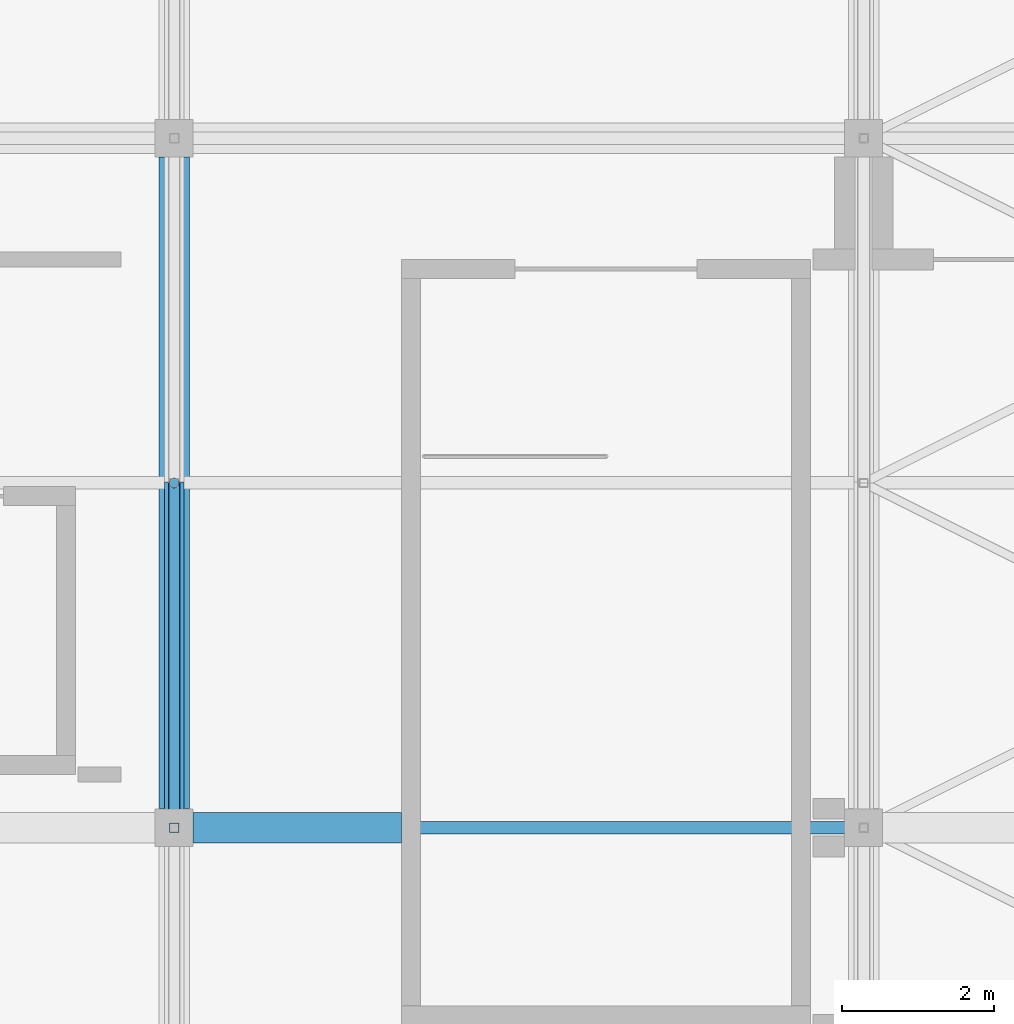
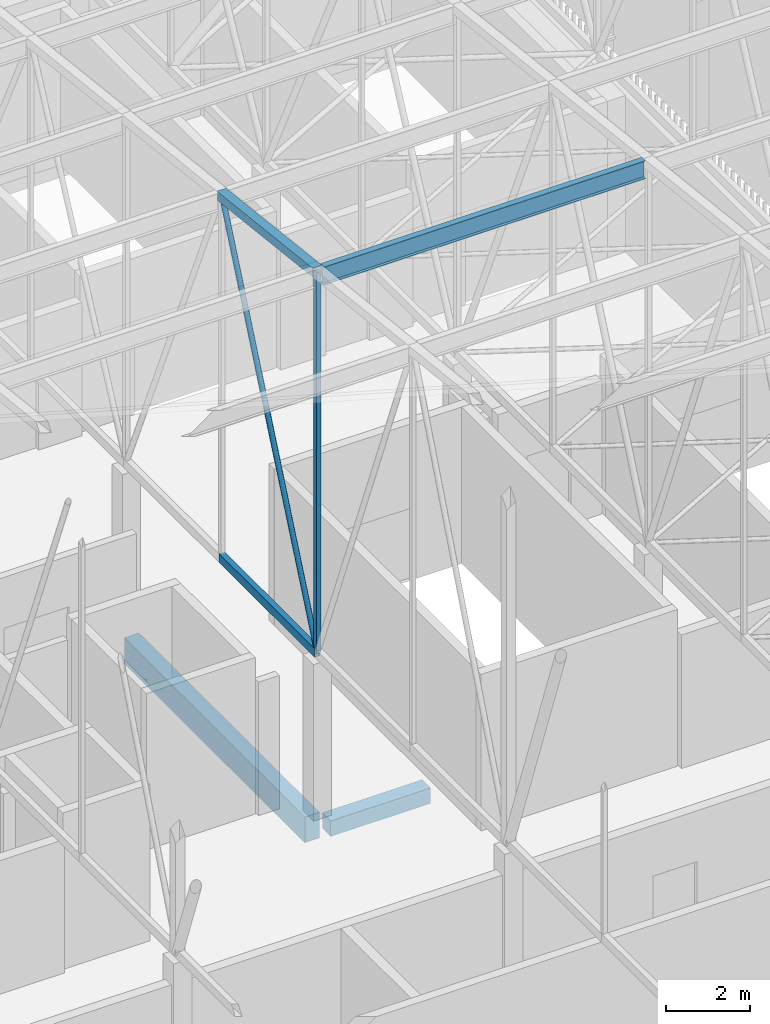
# One storey, part 382 of 500: 5 members, 2 beams.
"""IFC4 building model written with IfcOpenShell, lengths in metres."""

from ifc_helpers import new_model, si_unit, direction, frame, origin, origin_2d, place, context, subcontext, project, spatial, rectangle, hollow_rectangle, hollow_circle, i_section, extrude, material, material_profile, profile_set, type_object, element, save


model = new_model("IFC4")

# Units and contexts
model_context = context("Model", 3, precision=1e-05, world=origin(), true_north=direction((0.0, 1.0)))
body_context = subcontext(model_context, "Body", "Model", "MODEL_VIEW")
ifc_project = project(units=[si_unit("LENGTHUNIT", "METRE"), si_unit("AREAUNIT", "SQUARE_METRE"), si_unit("VOLUMEUNIT", "CUBIC_METRE"), si_unit("PLANEANGLEUNIT", "RADIAN"), si_unit("MASSUNIT", "GRAM", prefix="KILO")], contexts=[model_context])

# Site, building, storey
site_placement = place(None, origin())
site = spatial("IfcSite", under=ifc_project, at=site_placement, CompositionType="ELEMENT")
building_placement = place(site_placement, origin())
building = spatial("IfcBuilding", under=site, at=building_placement, Name="Shirokan Park Arena", CompositionType="ELEMENT")
storey_placement = place(building_placement, frame((0.0, 0.0, 29.1201171875)))
storey = spatial("IfcBuildingStorey", under=building, at=storey_placement, Name="L06", CompositionType="ELEMENT", Elevation=29.1201171875)

# Members
ifc_material_1 = material(Name="Steel ASTM A500 Grade C", Category="steel")
ifc_material_profile_1 = material_profile(ifc_material_1, hollow_rectangle(XDim=0.152099609375, YDim=0.25390625, WallThickness=0.009521484375, at=origin_2d()), Name="HSS254X152.4X9.5")
ifc_profile_set_1 = profile_set([ifc_material_profile_1], Name="Steel ASTM A500 Grade C")
member_type_1 = type_object("IfcMemberType", Name="Bottom chord HSS254X152.4X9.5", PredefinedType="CHORD", material=ifc_profile_set_1)
member_1_placement = place(storey_placement, frame((127.39990234375, 81.89990234375, 4.677001953125), z_axis=(0.0, 1.0, 0.0), x_axis=(-1.0, 0.0, 0.0)))
element("IfcMember", 1, at=member_1_placement, inside=storey, type_object=member_type_1, Name="Truss T15 bottom chord 21", PredefinedType="CHORD", context=body_context, shape_type="SweptSolid", body=[
    extrude(hollow_rectangle(XDim=0.152099609375, YDim=0.25390625, WallThickness=0.009521484375, at=origin_2d()), origin(), (0.0, 0.0, 1.0), 4.550048828125),
])
ifc_material_2 = material(Name="Steel ASTM A992", Category="steel")
ifc_material_profile_2 = material_profile(ifc_material_2, i_section(OverallWidth=0.166015625, OverallDepth=0.528076171875, WebThickness=0.009765625, FlangeThickness=0.013671875, at=origin_2d()), Name="W530X74")
ifc_profile_set_2 = profile_set([ifc_material_profile_2], Name="Steel ASTM A992")
member_type_2 = type_object("IfcMemberType", Name="Purlin W530X74", PredefinedType="PURLIN", material=ifc_profile_set_2)
member_2_placement = place(storey_placement, frame((127.527099609375, 81.89990234375, 15.60595703125), z_axis=(1.0, 0.0, 0.0), x_axis=(0.0, 1.0, 0.0)))
element("IfcMember", 2, at=member_2_placement, inside=storey, type_object=member_type_2, Name="Purlin 21 bay 15", PredefinedType="PURLIN", context=body_context, shape_type="SweptSolid", body=[
    extrude(i_section(OverallWidth=0.166015625, OverallDepth=0.528076171875, WebThickness=0.009765625, FlangeThickness=0.013671875, at=origin_2d()), origin(), (0.0, 0.0, 1.0), 8.845947265625),
])

# Beams
ifc_material_3 = material(Name="Concrete C35", Category="concrete")
ifc_material_profile_3 = material_profile(ifc_material_3, rectangle(XDim=0.39990234375, YDim=0.75, at=origin_2d()), Name="400x750")
ifc_profile_set_3 = profile_set([ifc_material_profile_3], Name="Concrete C35")
beam_type_1 = type_object("IfcBeamType", Name="RC girder 400x750", PredefinedType="BEAM", material=ifc_profile_set_3)
beam_1_placement = place(storey_placement, frame((127.39990234375, 82.150146484375, -0.5751953125), z_axis=(0.0, 1.0, 0.0), x_axis=(-1.0, 0.0, 0.0)))
element("IfcBeam", 3, at=beam_1_placement, inside=storey, type_object=beam_type_1, Name="Girder 15K-15L L06", PredefinedType="BEAM", context=body_context, shape_type="SweptSolid", body=[
    extrude(rectangle(XDim=0.39990234375, YDim=0.75, at=origin_2d()), origin(), (0.0, 0.0, 1.0), 8.599853515625),
])
ifc_material_profile_4 = material_profile(ifc_material_3, rectangle(XDim=0.39990234375, YDim=0.449951171875, at=origin_2d()), Name="400x450")
ifc_profile_set_4 = profile_set([ifc_material_profile_4], Name="Concrete C35")
beam_type_2 = type_object("IfcBeamType", Name="RC trimmer 400x450", PredefinedType="BEAM", material=ifc_profile_set_4)
beam_2_placement = place(storey_placement, frame((127.650146484375, 81.89990234375, -0.425048828125), z_axis=(1.0, 0.0, 0.0), x_axis=(0.0, 1.0, 0.0)))
element("IfcBeam", 4, at=beam_2_placement, inside=storey, type_object=beam_type_2, Name="Girder 15K-16K L06", PredefinedType="BEAM", context=body_context, shape_type="SweptSolid", body=[
    extrude(rectangle(XDim=0.39990234375, YDim=0.449951171875, at=origin_2d()), origin(), (0.0, 0.0, 1.0), 2.749755859375),
])

# Members
ifc_material_profile_5 = material_profile(ifc_material_1, hollow_rectangle(XDim=0.25390625, YDim=0.25390625, WallThickness=0.009521484375, at=origin_2d()), Name="HSS254X254X9.5")
ifc_profile_set_5 = profile_set([ifc_material_profile_5], Name="Steel ASTM A500 Grade C")
member_type_3 = type_object("IfcMemberType", Name="Top chord HSS254X254X9.5", PredefinedType="CHORD", material=ifc_profile_set_5)
member_3_placement = place(storey_placement, frame((127.39990234375, 81.89990234375, 15.742919921875), z_axis=(0.0, 0.993532328996, -0.113549598152), x_axis=(-1.0, 0.0, 0.0)))
element("IfcMember", 5, at=member_3_placement, inside=storey, type_object=member_type_3, Name="Truss T15 top chord 21", PredefinedType="CHORD", context=body_context, shape_type="SweptSolid", body=[
    extrude(hollow_rectangle(XDim=0.25390625, YDim=0.25390625, WallThickness=0.009521484375, at=origin_2d()), origin(), (0.0, 0.0, 1.0), 4.57958984375),
])
ifc_material_profile_6 = material_profile(ifc_material_1, hollow_circle(Radius=0.070556640625, WallThickness=0.006591796875, at=origin_2d()), Name="HSS141.3X6.6")
ifc_profile_set_6 = profile_set([ifc_material_profile_6], Name="Steel ASTM A500 Grade C")
member_type_4 = type_object("IfcMemberType", Name="Truss diagonal HSS141.3X6.6", PredefinedType="BRACE", material=ifc_profile_set_6)
member_4_placement = place(storey_placement, frame((127.39990234375, 81.89990234375, 4.677001953125), z_axis=(0.0, 0.396152605513, 0.918184683572), x_axis=(-1.0, 0.0, 0.0)))
element("IfcMember", 6, at=member_4_placement, inside=storey, type_object=member_type_4, Name="Truss T15 diagonal 21", PredefinedType="BRACE", context=body_context, shape_type="SweptSolid", body=[
    extrude(hollow_circle(Radius=0.070556640625, WallThickness=0.006591796875, at=origin_2d()), origin(), (0.0, 0.0, 1.0), 11.485595703125),
])
ifc_material_profile_7 = material_profile(ifc_material_1, hollow_rectangle(XDim=0.126953125, YDim=0.126953125, WallThickness=0.008056640625, at=origin_2d()), Name="HSS127X127X7.9")
ifc_profile_set_7 = profile_set([ifc_material_profile_7], Name="Steel ASTM A500 Grade C")
member_type_5 = type_object("IfcMemberType", Name="Truss post HSS127X127X7.9", PredefinedType="POST", material=ifc_profile_set_7)
member_5_placement = place(storey_placement, frame((127.39990234375, 81.89990234375, 4.677001953125), z_axis=(0.0, 0.0, 1.0), x_axis=(1.0, 0.0, 0.0)))
element("IfcMember", 7, at=member_5_placement, inside=storey, type_object=member_type_5, Name="Truss T15 post 21", PredefinedType="POST", context=body_context, shape_type="SweptSolid", body=[
    extrude(hollow_rectangle(XDim=0.126953125, YDim=0.126953125, WallThickness=0.008056640625, at=origin_2d()), origin(), (0.0, 0.0, 1.0), 11.06591796875),
])

save(model, "model.ifc")
